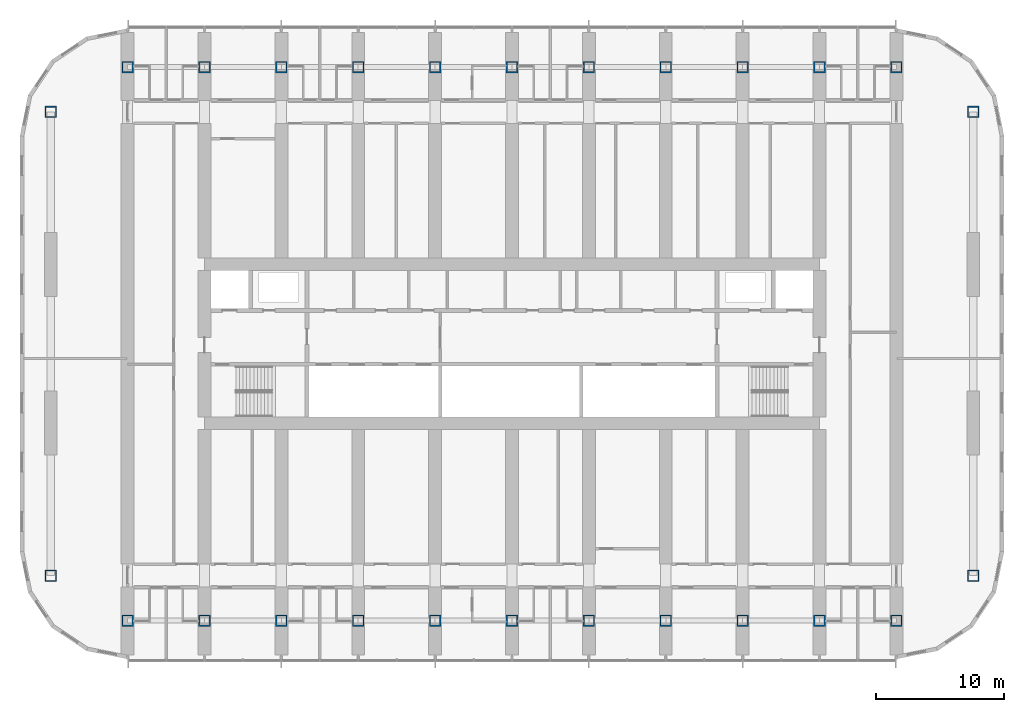
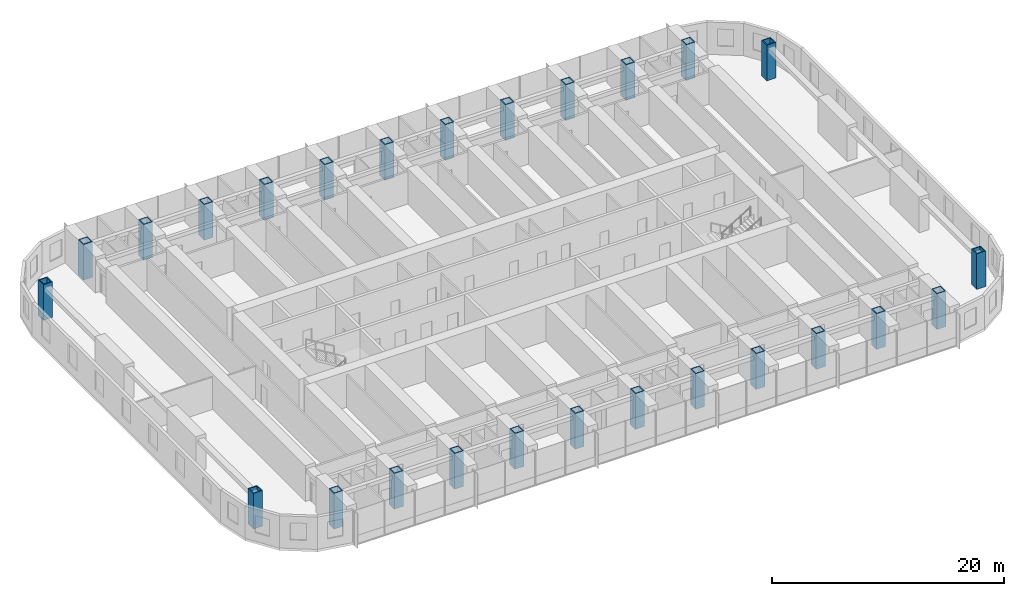
# One storey, part 1 of 23: 26 columns.
"""IFC4 building model written with IfcOpenShell, lengths in metres."""

import ifcopenshell
import ifcopenshell.guid

model = None  # the IFC model being written
_history = None  # IfcOwnerHistory: only IFC2X3 demands one
_inside = {}  # id of a spatial element -> (the spatial element, [elements in it])
_under = {}  # id of a project, library or spatial element -> (it, [spatial elements below it])
_declared = {}  # id of a project -> (the project, [libraries it declares])
_typed = {}  # id of a type object -> (the type object, [elements of that type])
_made_of = {}  # id of a material, layer set ... -> (it, [elements and type objects made of it])


def new_model(schema):
    """Start an empty IFC model of exactly this schema.

    Asked for "IFC4X3", IfcOpenShell would pick the latest addendum, in which some entities
    have other attributes; the version numbers below select the first issue.
    IFC2X3 requires an IfcOwnerHistory on every rooted entity: one is made here for all.
    """
    global model, _history
    if schema == "IFC4X3":
        model = ifcopenshell.file(schema_version=(4, 3, 0, 0))
    else:
        model = ifcopenshell.file(schema=schema)
    _inside.clear()
    _under.clear()
    _declared.clear()
    _typed.clear()
    _made_of.clear()
    _history = None
    if model.schema == "IFC2X3":
        org = make("IfcOrganization", Name="unknown")
        user = make(
            "IfcPersonAndOrganization",
            ThePerson=make("IfcPerson", FamilyName="unknown"),
            TheOrganization=org,
        )
        app = make(
            "IfcApplication",
            ApplicationDeveloper=org,
            Version="unknown",
            ApplicationFullName="unknown",
            ApplicationIdentifier="unknown",
        )
        _history = make(
            "IfcOwnerHistory",
            OwningUser=user,
            OwningApplication=app,
            ChangeAction="ADDED",
            CreationDate=0,
        )
    return model


def make(cls, **values):
    """One entity of the class cls with the attributes given. An attribute that is None is left unset."""
    return model.create_entity(
        cls, **{name: value for name, value in values.items() if value is not None}
    )


def rooted(cls, **values):
    """An entity with a GlobalId (a new one), such as an element, a storey or a relation."""
    return make(cls, GlobalId=ifcopenshell.guid.new(), OwnerHistory=_history, **values)


def si_unit(unit_type, name, prefix=None):
    """IfcSIUnit, for example si_unit("LENGTHUNIT", "METRE", prefix="MILLI")."""
    return make("IfcSIUnit", UnitType=unit_type, Prefix=prefix, Name=name)


def assignment(units):
    """IfcUnitAssignment: the units of a project."""
    return None if units is None else make("IfcUnitAssignment", Units=units)


def point(xyz):
    """IfcCartesianPoint."""
    return None if xyz is None else make("IfcCartesianPoint", Coordinates=xyz)


def direction(xyz):
    """IfcDirection."""
    return None if xyz is None else make("IfcDirection", DirectionRatios=xyz)


def frame(location, z_axis=None, x_axis=None):
    """IfcAxis2Placement3D, a coordinate frame: its origin and axes. An axis left out is left unset."""
    return make(
        "IfcAxis2Placement3D",
        Location=point(location),
        Axis=direction(z_axis),
        RefDirection=direction(x_axis),
    )


def frame_2d(location, x_axis=None):
    """IfcAxis2Placement2D, a coordinate frame in the plane: its origin and x axis."""
    return make(
        "IfcAxis2Placement2D", Location=point(location), RefDirection=direction(x_axis)
    )


def origin():
    """The frame at (0, 0, 0) with its axes left unset."""
    return frame((0.0, 0.0, 0.0))


def origin_2d():
    """The frame at (0, 0) in the plane with its x axis left unset."""
    return frame_2d((0.0, 0.0))


def place(relative_to, where):
    """IfcLocalPlacement: puts the frame where relative to a parent placement (None: the world)."""
    return make(
        "IfcLocalPlacement", PlacementRelTo=relative_to, RelativePlacement=where
    )


def context(
    kind, dimensions, precision=None, world=None, true_north=None, identifier=None
):
    """IfcGeometricRepresentationContext, for example the 3D "Model" context."""
    return make(
        "IfcGeometricRepresentationContext",
        ContextIdentifier=identifier,
        ContextType=kind,
        CoordinateSpaceDimension=dimensions,
        Precision=precision,
        WorldCoordinateSystem=world,
        TrueNorth=true_north,
    )


def subcontext(parent, identifier, kind, view, scale=None):
    """IfcGeometricRepresentationSubContext, for example "Body" below "Model"."""
    return make(
        "IfcGeometricRepresentationSubContext",
        ContextIdentifier=identifier,
        ContextType=kind,
        ParentContext=parent,
        TargetScale=scale,
        TargetView=view,
    )


def project(units=None, contexts=None):
    """IfcProject with its units and contexts."""
    return rooted(
        "IfcProject",
        Name="project",
        RepresentationContexts=contexts,
        UnitsInContext=assignment(units),
    )


def spatial(cls, under=None, at=None, **own):
    """A site, building, storey or space (cls), placed at a placement, below another one or the project."""
    s = rooted(cls, ObjectPlacement=at, **own)
    if under is not None:
        _under.setdefault(under.id(), (under, []))[1].append(s)
    return s


def profile(cls, at=None, kind="AREA", **sizes):
    """A parametric profile (cls). Its sizes go by their IFC names, for example OverallWidth=200.0."""
    return make(cls, ProfileType=kind, Position=at, **sizes)


def hollow_rectangle(**sizes):
    """IfcRectangleHollowProfileDef."""
    return profile("IfcRectangleHollowProfileDef", **sizes)


def extrude(swept, where, along, depth):
    """IfcExtrudedAreaSolid: the profile swept, set in the frame where, extruded along a direction by depth."""
    return make(
        "IfcExtrudedAreaSolid",
        SweptArea=swept,
        Position=where,
        ExtrudedDirection=direction(along),
        Depth=depth,
    )


def shape(context_of_items, identifier, shape_type, items):
    """IfcShapeRepresentation: the items that make up one representation, for example the "Body"."""
    return make(
        "IfcShapeRepresentation",
        ContextOfItems=context_of_items,
        RepresentationIdentifier=identifier,
        RepresentationType=shape_type,
        Items=items,
    )


def material(Name=None, Category=None):
    """IfcMaterial."""
    return make("IfcMaterial", Name=Name, Category=Category)


def material_profile(
    of_material, cross_section, Name=None, Category=None, Priority=None
):
    """IfcMaterialProfile: a cross section and its material."""
    return make(
        "IfcMaterialProfile",
        Name=Name,
        Material=of_material,
        Profile=cross_section,
        Priority=Priority,
        Category=Category,
    )


def profile_set(profiles, Name=None, composite=None):
    """IfcMaterialProfileSet."""
    return make(
        "IfcMaterialProfileSet",
        Name=Name,
        MaterialProfiles=profiles,
        CompositeProfile=composite,
    )


def made_of(thing, what):
    """Note that an element or type object is made of a material, layer set ...; save() writes the relation."""
    if what is not None:
        _made_of.setdefault(what.id(), (what, []))[1].append(thing)
    return thing


def type_object(cls, material=None, **own):
    """A type object (cls), such as IfcWallType, which elements share."""
    return made_of(rooted(cls, **own), material)


def element(
    cls,
    number,
    at=None,
    inside=None,
    cuts=None,
    type_object=None,
    material=None,
    context=None,
    identifier="Body",
    shape_type=None,
    held_by="IfcProductDefinitionShape",
    body=None,
    shapes=None,
    **own,
):
    """One element of the class cls, such as IfcWall. Its Tag is "e" and its number.

    at: its placement. inside: the storey or other place that contains it. cuts: it is an
    opening in that element (IfcRelVoidsElement). A single representation is given by context,
    identifier, shape_type and body (its items); several are given by shapes. held_by: the class
    of the entity that holds the representations. save() writes the other relations.
    """
    e = rooted(cls, Tag="e%d" % number, ObjectPlacement=at, **own)
    if body is not None:
        shapes = [shape(context, identifier, shape_type, body)]
    if shapes is not None:
        e.Representation = make(held_by, Representations=shapes)
    if inside is not None:
        _inside.setdefault(inside.id(), (inside, []))[1].append(e)
    if cuts is not None:
        rooted(
            "IfcRelVoidsElement", RelatingBuildingElement=cuts, RelatedOpeningElement=e
        )
    if type_object is not None:
        _typed.setdefault(type_object.id(), (type_object, []))[1].append(e)
    return made_of(e, material)


def aggregate(whole, parts):
    """IfcRelAggregates: a whole, such as a stair, and the parts it consists of."""
    return rooted("IfcRelAggregates", RelatingObject=whole, RelatedObjects=parts)


def save(model, path):
    """Write the relations noted so far, then the file.

    IfcRelAggregates (storeys below a building ...), IfcRelContainedInSpatialStructure (elements
    in a storey), IfcRelDefinesByType, IfcRelAssociatesMaterial and IfcRelDeclares: one each for
    every whole, place, type object, material and project.
    """
    for whole, parts in _under.values():
        aggregate(whole, parts)
    for where, things in _inside.values():
        rooted(
            "IfcRelContainedInSpatialStructure",
            RelatedElements=things,
            RelatingStructure=where,
        )
    for kind, things in _typed.values():
        rooted("IfcRelDefinesByType", RelatedObjects=things, RelatingType=kind)
    for what, things in _made_of.values():
        rooted("IfcRelAssociatesMaterial", RelatedObjects=things, RelatingMaterial=what)
    for by, libraries in _declared.values():
        rooted("IfcRelDeclares", RelatingContext=by, RelatedDefinitions=libraries)
    model.write(path)


model = new_model("IFC4")

# Units and contexts
model_context = context("Model", 3, precision=1e-05, world=origin(), true_north=direction((0.0, 1.0)))
body_context = subcontext(model_context, "Body", "Model", "MODEL_VIEW")
ifc_project = project(units=[si_unit("LENGTHUNIT", "METRE"), si_unit("AREAUNIT", "SQUARE_METRE"), si_unit("VOLUMEUNIT", "CUBIC_METRE"), si_unit("PLANEANGLEUNIT", "RADIAN"), si_unit("MASSUNIT", "GRAM", prefix="KILO")], contexts=[model_context])

# Site, building, storey
site_placement = place(None, origin())
site = spatial("IfcSite", under=ifc_project, at=site_placement, CompositionType="ELEMENT")
building_placement = place(site_placement, origin())
building = spatial("IfcBuilding", under=site, at=building_placement, Name="Orbita Commons", CompositionType="ELEMENT")
storey_placement = place(building_placement, frame((0.0, 0.0, 65.199951171875)))
storey = spatial("IfcBuildingStorey", under=building, at=storey_placement, Name="L16", CompositionType="ELEMENT", Elevation=65.199951171875)

# Columns
ifc_material = material(Name="Steel ASTM A572 Gr 50 welded plate", Category="steel")
ifc_material_profile = material_profile(ifc_material, hollow_rectangle(XDim=0.89990234375, YDim=0.89990234375, WallThickness=0.090087890625, at=origin_2d()), Name="BOX 900x900x90")
ifc_profile_set = profile_set([ifc_material_profile], Name="Steel ASTM A572 Gr 50 welded plate")
column_type = type_object("IfcColumnType", Name="Steel column BOX 900x900x90", PredefinedType="COLUMN", material=ifc_profile_set)
for number, where, z_axis, x_axis, name in (
    (1, (12.0, 10.39990234375, 0.0), (0.0, 0.0, 1.0), (1.0, 0.0, 0.0), "Column 3/B L16"),
    (2, (12.0, 53.60009765625, 0.0), (0.0, 0.0, 1.0), (1.0, 0.0, 0.0), "Column 3/E L16"),
    (3, (18.0, 10.39990234375, 0.0), (0.0, 0.0, 1.0), (1.0, 0.0, 0.0), "Column 4/B L16"),
    (4, (18.0, 53.60009765625, 0.0), (0.0, 0.0, 1.0), (1.0, 0.0, 0.0), "Column 4/E L16"),
    (5, (24.0, 10.39990234375, 0.0), (0.0, 0.0, 1.0), (1.0, 0.0, 0.0), "Column 5/B L16"),
    (6, (24.0, 53.60009765625, 0.0), (0.0, 0.0, 1.0), (1.0, 0.0, 0.0), "Column 5/E L16"),
    (7, (30.0, 10.39990234375, 0.0), (0.0, 0.0, 1.0), (1.0, 0.0, 0.0), "Column 6/B L16"),
    (8, (30.0, 53.60009765625, 0.0), (0.0, 0.0, 1.0), (1.0, 0.0, 0.0), "Column 6/E L16"),
    (9, (36.0, 10.39990234375, 0.0), (0.0, 0.0, 1.0), (1.0, 0.0, 0.0), "Column 7/B L16"),
    (10, (36.0, 53.60009765625, 0.0), (0.0, 0.0, 1.0), (1.0, 0.0, 0.0), "Column 7/E L16"),
    (11, (42.0, 10.39990234375, 0.0), (0.0, 0.0, 1.0), (1.0, 0.0, 0.0), "Column 8/B L16"),
    (12, (42.0, 53.60009765625, 0.0), (0.0, 0.0, 1.0), (1.0, 0.0, 0.0), "Column 8/E L16"),
    (13, (48.0, 10.39990234375, 0.0), (0.0, 0.0, 1.0), (1.0, 0.0, 0.0), "Column 9/B L16"),
    (14, (48.0, 53.60009765625, 0.0), (0.0, 0.0, 1.0), (1.0, 0.0, 0.0), "Column 9/E L16"),
    (15, (54.0, 10.39990234375, 0.0), (0.0, 0.0, 1.0), (1.0, 0.0, 0.0), "Column 10/B L16"),
    (16, (54.0, 53.60009765625, 0.0), (0.0, 0.0, 1.0), (1.0, 0.0, 0.0), "Column 10/E L16"),
    (17, (60.0, 10.39990234375, 0.0), (0.0, 0.0, 1.0), (1.0, 0.0, 0.0), "Column 11/B L16"),
    (18, (60.0, 53.60009765625, 0.0), (0.0, 0.0, 1.0), (1.0, 0.0, 0.0), "Column 11/E L16"),
    (19, (66.0, 10.39990234375, 0.0), (0.0, 0.0, 1.0), (1.0, 0.0, 0.0), "Column 12/B L16"),
    (20, (66.0, 53.60009765625, 0.0), (0.0, 0.0, 1.0), (1.0, 0.0, 0.0), "Column 12/E L16"),
    (21, (72.0, 10.39990234375, 0.0), (0.0, 0.0, 1.0), (1.0, 0.0, 0.0), "Column 13/B L16"),
    (22, (72.0, 53.60009765625, 0.0), (0.0, 0.0, 1.0), (1.0, 0.0, 0.0), "Column 13/E L16"),
    (23, (6.0, 13.89990234375, 0.0), (0.0, 0.0, 1.0), (1.0, 0.0, 0.0), "Column 2/13.9 L16"),
    (24, (6.0, 50.10009765625, 0.0), (0.0, 0.0, 1.0), (1.0, 0.0, 0.0), "Column 2/50.1 L16"),
    (25, (78.0, 13.89990234375, 0.0), (0.0, 0.0, 1.0), (1.0, 0.0, 0.0), "Column 14/13.9 L16"),
    (26, (78.0, 50.10009765625, 0.0), (0.0, 0.0, 1.0), (1.0, 0.0, 0.0), "Column 14/50.1 L16"),
):
    element("IfcColumn", number, at=place(storey_placement, frame(where, z_axis=z_axis, x_axis=x_axis)), inside=storey, type_object=column_type, Name=name, PredefinedType="COLUMN", context=body_context, shape_type="SweptSolid", body=[
        extrude(hollow_rectangle(XDim=0.89990234375, YDim=0.89990234375, WallThickness=0.090087890625, at=origin_2d()), origin(), (0.0, 0.0, 1.0), 3.75),
    ])

save(model, "model.ifc")
